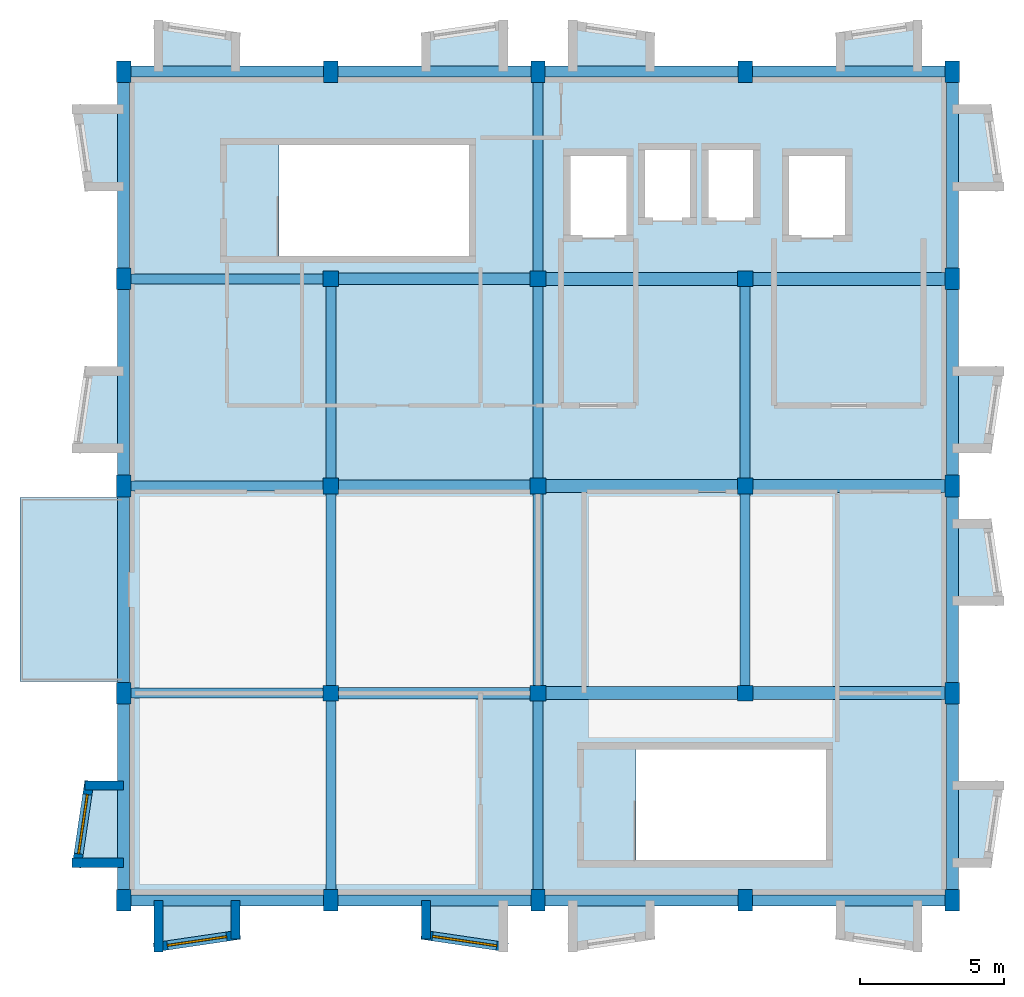
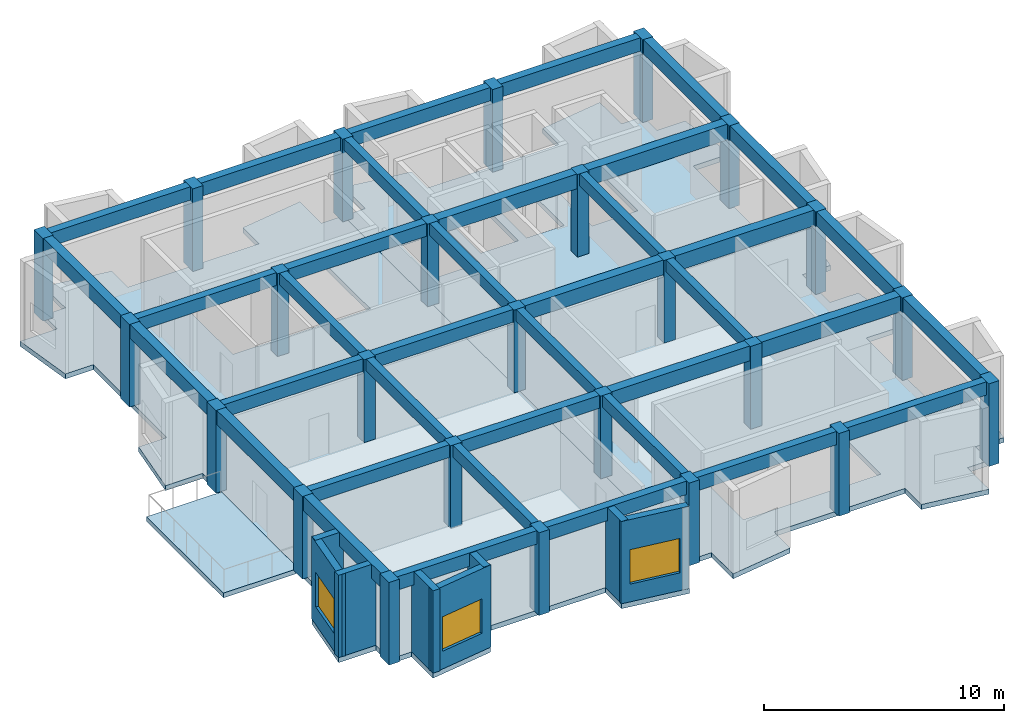
# One storey, part 1 of 5: 37 beams, 25 columns, 8 walls, 3 slabs, 3 windows, 3 openings.
"""IFC4 building model written with IfcOpenShell, lengths in metres."""

from ifc_helpers import new_model, si_unit, direction, frame, frame_2d, origin, origin_2d, place, context, subcontext, project, spatial, polyline, rectangle, outline, extrude, material, layer, layer_set, material_profile, profile_set, type_object, element, fill, save


model = new_model("IFC4")

# Units and contexts
model_context = context("Model", 3, precision=1e-05, world=origin(), true_north=direction((0.0, 1.0)))
body_context = subcontext(model_context, "Body", "Model", "MODEL_VIEW")
ifc_project = project(units=[si_unit("LENGTHUNIT", "METRE"), si_unit("AREAUNIT", "SQUARE_METRE"), si_unit("VOLUMEUNIT", "CUBIC_METRE"), si_unit("PLANEANGLEUNIT", "RADIAN"), si_unit("MASSUNIT", "GRAM", prefix="KILO")], contexts=[model_context])

# Site, building, storey
site_placement = place(None, origin())
site = spatial("IfcSite", under=ifc_project, at=site_placement, CompositionType="ELEMENT")
building_placement = place(site_placement, origin())
building = spatial("IfcBuilding", under=site, at=building_placement, Name="Bramveld Media Centre", CompositionType="ELEMENT")
storey_placement = place(building_placement, frame((0.0, 0.0, 29.699951171875)))
storey = spatial("IfcBuildingStorey", under=building, at=storey_placement, Name="L07", CompositionType="ELEMENT", Elevation=29.699951171875)

# Columns
ifc_material_1 = material(Name="Concrete C40/50", Category="concrete")
ifc_material_profile_1 = material_profile(ifc_material_1, rectangle(XDim=0.5, YDim=0.75, at=origin_2d()), Name="RC 500x750")
ifc_profile_set_1 = profile_set([ifc_material_profile_1], Name="Concrete C40/50")
column_type_1 = type_object("IfcColumnType", Name="COL-EXT-RC-500x750", PredefinedType="COLUMN", material=ifc_profile_set_1)
for number, where, z_axis, x_axis, name in (
    (1, (131.199951171875, 83.199951171875, 0.0), (0.0, 0.0, 1.0), (1.0, 0.0, 0.0), "V7 L07 column RC 500x750"),
    (2, (131.199951171875, 90.39990234375, 0.0), (0.0, 0.0, 1.0), (1.0, 0.0, 0.0), "V7 L07 column RC 500x750"),
    (3, (131.199951171875, 97.60009765625, 0.0), (0.0, 0.0, 1.0), (1.0, 0.0, 0.0), "V7 L07 column RC 500x750"),
    (4, (131.199951171875, 104.800048828125, 0.0), (0.0, 0.0, 1.0), (1.0, 0.0, 0.0), "V7 L07 column RC 500x750"),
    (5, (131.199951171875, 112.0, 0.0), (0.0, 0.0, 1.0), (1.0, 0.0, 0.0), "V7 L07 column RC 500x750"),
    (6, (138.39990234375, 83.199951171875, 0.0), (0.0, 0.0, 1.0), (1.0, 0.0, 0.0), "V7 L07 column RC 500x750"),
    (7, (138.39990234375, 112.0, 0.0), (0.0, 0.0, 1.0), (1.0, 0.0, 0.0), "V7 L07 column RC 500x750"),
    (8, (145.60009765625, 83.199951171875, 0.0), (0.0, 0.0, 1.0), (1.0, 0.0, 0.0), "V7 L07 column RC 500x750"),
    (9, (145.60009765625, 112.0, 0.0), (0.0, 0.0, 1.0), (1.0, 0.0, 0.0), "V7 L07 column RC 500x750"),
    (10, (152.800048828125, 83.199951171875, 0.0), (0.0, 0.0, 1.0), (1.0, 0.0, 0.0), "V7 L07 column RC 500x750"),
    (11, (152.800048828125, 112.0, 0.0), (0.0, 0.0, 1.0), (1.0, 0.0, 0.0), "V7 L07 column RC 500x750"),
    (12, (160.0, 83.199951171875, 0.0), (0.0, 0.0, 1.0), (1.0, 0.0, 0.0), "V7 L07 column RC 500x750"),
    (13, (160.0, 90.39990234375, 0.0), (0.0, 0.0, 1.0), (1.0, 0.0, 0.0), "V7 L07 column RC 500x750"),
    (14, (160.0, 97.60009765625, 0.0), (0.0, 0.0, 1.0), (1.0, 0.0, 0.0), "V7 L07 column RC 500x750"),
    (15, (160.0, 104.800048828125, 0.0), (0.0, 0.0, 1.0), (1.0, 0.0, 0.0), "V7 L07 column RC 500x750"),
    (16, (160.0, 112.0, 0.0), (0.0, 0.0, 1.0), (1.0, 0.0, 0.0), "V7 L07 column RC 500x750"),
):
    element("IfcColumn", number, at=place(storey_placement, frame(where, z_axis=z_axis, x_axis=x_axis)), inside=storey, type_object=column_type_1, Name=name, PredefinedType="COLUMN", context=body_context, shape_type="SweptSolid", body=[
        extrude(rectangle(XDim=0.5, YDim=0.75, at=origin_2d()), origin(), (0.0, 0.0, 1.0), 4.199951171875),
    ])
ifc_material_2 = material(Name="Concrete C40/50", Category="concrete")
ifc_material_profile_2 = material_profile(ifc_material_2, rectangle(XDim=0.550048828125, YDim=0.550048828125, at=origin_2d()), Name="RC 550x550")
ifc_profile_set_2 = profile_set([ifc_material_profile_2], Name="Concrete C40/50")
column_type_2 = type_object("IfcColumnType", Name="COL-INT-RC-550x550", PredefinedType="COLUMN", material=ifc_profile_set_2)
for number, where, z_axis, x_axis, name in (
    (17, (138.39990234375, 90.39990234375, 0.0), (0.0, 0.0, 1.0), (1.0, 0.0, 0.0), "V7 L07 column RC 550x550"),
    (18, (138.39990234375, 97.60009765625, 0.0), (0.0, 0.0, 1.0), (1.0, 0.0, 0.0), "V7 L07 column RC 550x550"),
    (19, (138.39990234375, 104.800048828125, 0.0), (0.0, 0.0, 1.0), (1.0, 0.0, 0.0), "V7 L07 column RC 550x550"),
    (20, (145.60009765625, 90.39990234375, 0.0), (0.0, 0.0, 1.0), (1.0, 0.0, 0.0), "V7 L07 column RC 550x550"),
    (21, (145.60009765625, 97.60009765625, 0.0), (0.0, 0.0, 1.0), (1.0, 0.0, 0.0), "V7 L07 column RC 550x550"),
    (22, (145.60009765625, 104.800048828125, 0.0), (0.0, 0.0, 1.0), (1.0, 0.0, 0.0), "V7 L07 column RC 550x550"),
    (23, (152.800048828125, 90.39990234375, 0.0), (0.0, 0.0, 1.0), (1.0, 0.0, 0.0), "V7 L07 column RC 550x550"),
    (24, (152.800048828125, 97.60009765625, 0.0), (0.0, 0.0, 1.0), (1.0, 0.0, 0.0), "V7 L07 column RC 550x550"),
    (25, (152.800048828125, 104.800048828125, 0.0), (0.0, 0.0, 1.0), (1.0, 0.0, 0.0), "V7 L07 column RC 550x550"),
):
    element("IfcColumn", number, at=place(storey_placement, frame(where, z_axis=z_axis, x_axis=x_axis)), inside=storey, type_object=column_type_2, Name=name, PredefinedType="COLUMN", context=body_context, shape_type="SweptSolid", body=[
        extrude(rectangle(XDim=0.550048828125, YDim=0.550048828125, at=origin_2d()), origin(), (0.0, 0.0, 1.0), 4.199951171875),
    ])

# Beams
ifc_material_3 = material(Name="Concrete C40/50", Category="concrete")
ifc_material_profile_3 = material_profile(ifc_material_3, rectangle(XDim=0.35009765625, YDim=0.60009765625, at=origin_2d()), Name="RC 350x600")
ifc_profile_set_3 = profile_set([ifc_material_profile_3], Name="Concrete C40/50")
beam_type_1 = type_object("IfcBeamType", Name="BM-INT-RC-350x600", PredefinedType="BEAM", material=ifc_profile_set_3)
beam_1_placement = place(storey_placement, frame((138.39990234375, 83.574951171875, 3.900146484375), z_axis=(0.0, 1.0, 0.0), x_axis=(-1.0, 0.0, 0.0)))
element("IfcBeam", 26, at=beam_1_placement, inside=storey, type_object=beam_type_1, Name="V7 L07 girder Y-1602", PredefinedType="BEAM", context=body_context, shape_type="SweptSolid", body=[
    extrude(rectangle(XDim=0.35009765625, YDim=0.60009765625, at=origin_2d()), origin(), (0.0, 0.0, 1.0), 6.550048828125),
])
for number, where, z_axis, x_axis, name in (
    (27, (138.39990234375, 90.675048828125, 3.900146484375), (0.0, 1.0, 0.0), (-1.0, 0.0, 0.0), "V7 L07 girder Y-1603"),
    (28, (138.39990234375, 97.875, 3.900146484375), (0.0, 1.0, 0.0), (-1.0, 0.0, 0.0), "V7 L07 girder Y-1604"),
):
    element("IfcBeam", number, at=place(storey_placement, frame(where, z_axis=z_axis, x_axis=x_axis)), inside=storey, type_object=beam_type_1, Name=name, PredefinedType="BEAM", context=body_context, shape_type="SweptSolid", body=[
        extrude(rectangle(XDim=0.35009765625, YDim=0.60009765625, at=origin_2d()), origin(), (0.0, 0.0, 1.0), 6.64990234375),
    ])
beam_2_placement = place(storey_placement, frame((145.60009765625, 83.574951171875, 3.900146484375), z_axis=(0.0, 1.0, 0.0), x_axis=(-1.0, 0.0, 0.0)))
element("IfcBeam", 29, at=beam_2_placement, inside=storey, type_object=beam_type_1, Name="V7 L07 girder Y-1605", PredefinedType="BEAM", context=body_context, shape_type="SweptSolid", body=[
    extrude(rectangle(XDim=0.35009765625, YDim=0.60009765625, at=origin_2d()), origin(), (0.0, 0.0, 1.0), 6.550048828125),
])
for number, where, z_axis, x_axis, name in (
    (30, (145.60009765625, 90.675048828125, 3.900146484375), (0.0, 1.0, 0.0), (-1.0, 0.0, 0.0), "V7 L07 girder Y-1606"),
    (31, (145.60009765625, 97.875, 3.900146484375), (0.0, 1.0, 0.0), (-1.0, 0.0, 0.0), "V7 L07 girder Y-1607"),
):
    element("IfcBeam", number, at=place(storey_placement, frame(where, z_axis=z_axis, x_axis=x_axis)), inside=storey, type_object=beam_type_1, Name=name, PredefinedType="BEAM", context=body_context, shape_type="SweptSolid", body=[
        extrude(rectangle(XDim=0.35009765625, YDim=0.60009765625, at=origin_2d()), origin(), (0.0, 0.0, 1.0), 6.64990234375),
    ])
beam_3_placement = place(storey_placement, frame((145.60009765625, 105.074951171875, 3.900146484375), z_axis=(0.0, 1.0, 0.0), x_axis=(-1.0, 0.0, 0.0)))
element("IfcBeam", 32, at=beam_3_placement, inside=storey, type_object=beam_type_1, Name="V7 L07 girder Y-1608", PredefinedType="BEAM", context=body_context, shape_type="SweptSolid", body=[
    extrude(rectangle(XDim=0.35009765625, YDim=0.60009765625, at=origin_2d()), origin(), (0.0, 0.0, 1.0), 6.550048828125),
])
for number, where, z_axis, x_axis, name in (
    (33, (152.800048828125, 90.675048828125, 3.900146484375), (0.0, 1.0, 0.0), (-1.0, 0.0, 0.0), "V7 L07 girder Y-1609"),
    (34, (152.800048828125, 97.875, 3.900146484375), (0.0, 1.0, 0.0), (-1.0, 0.0, 0.0), "V7 L07 girder Y-1610"),
):
    element("IfcBeam", number, at=place(storey_placement, frame(where, z_axis=z_axis, x_axis=x_axis)), inside=storey, type_object=beam_type_1, Name=name, PredefinedType="BEAM", context=body_context, shape_type="SweptSolid", body=[
        extrude(rectangle(XDim=0.35009765625, YDim=0.60009765625, at=origin_2d()), origin(), (0.0, 0.0, 1.0), 6.64990234375),
    ])
ifc_material_4 = material(Name="Concrete C40/50", Category="concrete")
ifc_material_profile_4 = material_profile(ifc_material_4, rectangle(XDim=0.35009765625, YDim=0.64990234375, at=origin_2d()), Name="RC 350x650")
ifc_profile_set_4 = profile_set([ifc_material_profile_4], Name="Concrete C40/50")
beam_type_2 = type_object("IfcBeamType", Name="BM-INT-RC-350x650", PredefinedType="BEAM", material=ifc_profile_set_4)
for number, where, z_axis, x_axis, name in (
    (35, (131.449951171875, 90.39990234375, 3.875), (1.0, 0.0, 0.0), (0.0, 1.0, 0.0), "V7 L07 girder X-1582"),
    (36, (131.449951171875, 97.60009765625, 3.875), (1.0, 0.0, 0.0), (0.0, 1.0, 0.0), "V7 L07 girder X-1586"),
    (37, (131.449951171875, 104.800048828125, 3.875), (1.0, 0.0, 0.0), (0.0, 1.0, 0.0), "V7 L07 girder X-1590"),
):
    element("IfcBeam", number, at=place(storey_placement, frame(where, z_axis=z_axis, x_axis=x_axis)), inside=storey, type_object=beam_type_2, Name=name, PredefinedType="BEAM", context=body_context, shape_type="SweptSolid", body=[
        extrude(rectangle(XDim=0.35009765625, YDim=0.64990234375, at=origin_2d()), origin(), (0.0, 0.0, 1.0), 6.675048828125),
    ])
ifc_material_5 = material(Name="Concrete C40/50", Category="concrete")
ifc_material_profile_5 = material_profile(ifc_material_5, rectangle(XDim=0.39990234375, YDim=0.64990234375, at=origin_2d()), Name="RC 400x650")
ifc_profile_set_5 = profile_set([ifc_material_profile_5], Name="Concrete C40/50")
beam_type_3 = type_object("IfcBeamType", Name="BM-INT-RC-400x650", PredefinedType="BEAM", material=ifc_profile_set_5)
for number, where, z_axis, x_axis, name in (
    (38, (138.675048828125, 90.39990234375, 3.875), (1.0, 0.0, 0.0), (0.0, 1.0, 0.0), "V7 L07 girder X-1583"),
    (39, (138.675048828125, 97.60009765625, 3.875), (1.0, 0.0, 0.0), (0.0, 1.0, 0.0), "V7 L07 girder X-1587"),
    (40, (138.675048828125, 104.800048828125, 3.875), (1.0, 0.0, 0.0), (0.0, 1.0, 0.0), "V7 L07 girder X-1591"),
):
    element("IfcBeam", number, at=place(storey_placement, frame(where, z_axis=z_axis, x_axis=x_axis)), inside=storey, type_object=beam_type_3, Name=name, PredefinedType="BEAM", context=body_context, shape_type="SweptSolid", body=[
        extrude(rectangle(XDim=0.39990234375, YDim=0.64990234375, at=origin_2d()), origin(), (0.0, 0.0, 1.0), 6.64990234375),
    ])
ifc_material_6 = material(Name="Concrete C40/50", Category="concrete")
ifc_material_profile_6 = material_profile(ifc_material_6, rectangle(XDim=0.449951171875, YDim=0.75, at=origin_2d()), Name="RC 450x750")
ifc_profile_set_6 = profile_set([ifc_material_profile_6], Name="Concrete C40/50")
beam_type_4 = type_object("IfcBeamType", Name="BM-INT-RC-450x750", PredefinedType="BEAM", material=ifc_profile_set_6)
for number, where, z_axis, x_axis, name in (
    (41, (145.875, 90.39990234375, 3.824951171875), (1.0, 0.0, 0.0), (0.0, 1.0, 0.0), "V7 L07 girder X-1584"),
    (42, (145.875, 97.60009765625, 3.824951171875), (1.0, 0.0, 0.0), (0.0, 1.0, 0.0), "V7 L07 girder X-1588"),
    (43, (145.875, 104.800048828125, 3.824951171875), (1.0, 0.0, 0.0), (0.0, 1.0, 0.0), "V7 L07 girder X-1592"),
):
    element("IfcBeam", number, at=place(storey_placement, frame(where, z_axis=z_axis, x_axis=x_axis)), inside=storey, type_object=beam_type_4, Name=name, PredefinedType="BEAM", context=body_context, shape_type="SweptSolid", body=[
        extrude(rectangle(XDim=0.449951171875, YDim=0.75, at=origin_2d()), origin(), (0.0, 0.0, 1.0), 6.64990234375),
    ])
ifc_material_7 = material(Name="Concrete C40/50", Category="concrete")
ifc_material_profile_7 = material_profile(ifc_material_7, rectangle(XDim=0.449951171875, YDim=0.800048828125, at=origin_2d()), Name="RC 450x800")
ifc_profile_set_7 = profile_set([ifc_material_profile_7], Name="Concrete C40/50")
beam_type_5 = type_object("IfcBeamType", Name="BM-INT-RC-450x800", PredefinedType="BEAM", material=ifc_profile_set_7)
for number, where, z_axis, x_axis, name in (
    (44, (153.074951171875, 90.39990234375, 3.800048828125), (1.0, 0.0, 0.0), (0.0, 1.0, 0.0), "V7 L07 girder X-1585"),
    (45, (153.074951171875, 97.60009765625, 3.800048828125), (1.0, 0.0, 0.0), (0.0, 1.0, 0.0), "V7 L07 girder X-1589"),
    (46, (153.074951171875, 104.800048828125, 3.800048828125), (1.0, 0.0, 0.0), (0.0, 1.0, 0.0), "V7 L07 girder X-1593"),
):
    element("IfcBeam", number, at=place(storey_placement, frame(where, z_axis=z_axis, x_axis=x_axis)), inside=storey, type_object=beam_type_5, Name=name, PredefinedType="BEAM", context=body_context, shape_type="SweptSolid", body=[
        extrude(rectangle(XDim=0.449951171875, YDim=0.800048828125, at=origin_2d()), origin(), (0.0, 0.0, 1.0), 6.675048828125),
    ])
ifc_material_8 = material(Name="Concrete C40/50", Category="concrete")
ifc_material_profile_8 = material_profile(ifc_material_8, rectangle(XDim=0.3798828125, YDim=0.679931640625, at=origin_2d()), Name="RC 380x680")
ifc_profile_set_8 = profile_set([ifc_material_profile_8], Name="Concrete C40/50")
beam_type_6 = type_object("IfcBeamType", Name="SPANDREL-EXT-RC-380x680", PredefinedType="SPANDREL", material=ifc_profile_set_8)
beam_4_placement = place(storey_placement, frame((131.449951171875, 83.199951171875, 3.860107421875), z_axis=(1.0, 0.0, 0.0), x_axis=(0.0, 1.0, 0.0)))
element("IfcBeam", 47, at=beam_4_placement, inside=storey, type_object=beam_type_6, Name="V7 L07 girder X-1578", PredefinedType="SPANDREL", context=body_context, shape_type="SweptSolid", body=[
    extrude(rectangle(XDim=0.3798828125, YDim=0.679931640625, at=origin_2d()), origin(), (0.0, 0.0, 1.0), 6.699951171875),
])
beam_5_placement = place(storey_placement, frame((138.64990234375, 83.199951171875, 3.860107421875), z_axis=(1.0, 0.0, 0.0), x_axis=(0.0, 1.0, 0.0)))
element("IfcBeam", 48, at=beam_5_placement, inside=storey, type_object=beam_type_6, Name="V7 L07 girder X-1579", PredefinedType="SPANDREL", context=body_context, shape_type="SweptSolid", body=[
    extrude(rectangle(XDim=0.3798828125, YDim=0.679931640625, at=origin_2d()), origin(), (0.0, 0.0, 1.0), 6.7001953125),
])
for number, where, z_axis, x_axis, name in (
    (49, (145.85009765625, 83.199951171875, 3.860107421875), (1.0, 0.0, 0.0), (0.0, 1.0, 0.0), "V7 L07 girder X-1580"),
    (50, (153.050048828125, 83.199951171875, 3.860107421875), (1.0, 0.0, 0.0), (0.0, 1.0, 0.0), "V7 L07 girder X-1581"),
    (51, (131.449951171875, 112.0, 3.860107421875), (1.0, 0.0, 0.0), (0.0, 1.0, 0.0), "V7 L07 girder X-1594"),
):
    element("IfcBeam", number, at=place(storey_placement, frame(where, z_axis=z_axis, x_axis=x_axis)), inside=storey, type_object=beam_type_6, Name=name, PredefinedType="SPANDREL", context=body_context, shape_type="SweptSolid", body=[
        extrude(rectangle(XDim=0.3798828125, YDim=0.679931640625, at=origin_2d()), origin(), (0.0, 0.0, 1.0), 6.699951171875),
    ])
beam_6_placement = place(storey_placement, frame((138.64990234375, 112.0, 3.860107421875), z_axis=(1.0, 0.0, 0.0), x_axis=(0.0, 1.0, 0.0)))
element("IfcBeam", 52, at=beam_6_placement, inside=storey, type_object=beam_type_6, Name="V7 L07 girder X-1595", PredefinedType="SPANDREL", context=body_context, shape_type="SweptSolid", body=[
    extrude(rectangle(XDim=0.3798828125, YDim=0.679931640625, at=origin_2d()), origin(), (0.0, 0.0, 1.0), 6.7001953125),
])
for number, where, z_axis, x_axis, name in (
    (53, (145.85009765625, 112.0, 3.860107421875), (1.0, 0.0, 0.0), (0.0, 1.0, 0.0), "V7 L07 girder X-1596"),
    (54, (153.050048828125, 112.0, 3.860107421875), (1.0, 0.0, 0.0), (0.0, 1.0, 0.0), "V7 L07 girder X-1597"),
):
    element("IfcBeam", number, at=place(storey_placement, frame(where, z_axis=z_axis, x_axis=x_axis)), inside=storey, type_object=beam_type_6, Name=name, PredefinedType="SPANDREL", context=body_context, shape_type="SweptSolid", body=[
        extrude(rectangle(XDim=0.3798828125, YDim=0.679931640625, at=origin_2d()), origin(), (0.0, 0.0, 1.0), 6.699951171875),
    ])
ifc_material_9 = material(Name="Concrete C40/50", Category="concrete")
ifc_material_profile_9 = material_profile(ifc_material_9, rectangle(XDim=0.419921875, YDim=0.719970703125, at=origin_2d()), Name="RC 420x720")
ifc_profile_set_9 = profile_set([ifc_material_profile_9], Name="Concrete C40/50")
beam_type_7 = type_object("IfcBeamType", Name="SPANDREL-EXT-RC-420x720", PredefinedType="SPANDREL", material=ifc_profile_set_9)
beam_7_placement = place(storey_placement, frame((131.199951171875, 83.574951171875, 3.840087890625), z_axis=(0.0, 1.0, 0.0), x_axis=(-1.0, 0.0, 0.0)))
element("IfcBeam", 55, at=beam_7_placement, inside=storey, type_object=beam_type_7, Name="V7 L07 girder Y-1598", PredefinedType="SPANDREL", context=body_context, shape_type="SweptSolid", body=[
    extrude(rectangle(XDim=0.419921875, YDim=0.719970703125, at=origin_2d()), origin(), (0.0, 0.0, 1.0), 6.449951171875),
])
beam_8_placement = place(storey_placement, frame((131.199951171875, 90.77490234375, 3.840087890625), z_axis=(0.0, 1.0, 0.0), x_axis=(-1.0, 0.0, 0.0)))
element("IfcBeam", 56, at=beam_8_placement, inside=storey, type_object=beam_type_7, Name="V7 L07 girder Y-1599", PredefinedType="SPANDREL", context=body_context, shape_type="SweptSolid", body=[
    extrude(rectangle(XDim=0.419921875, YDim=0.719970703125, at=origin_2d()), origin(), (0.0, 0.0, 1.0), 6.4501953125),
])
for number, where, z_axis, x_axis, name in (
    (57, (131.199951171875, 97.97509765625, 3.840087890625), (0.0, 1.0, 0.0), (-1.0, 0.0, 0.0), "V7 L07 girder Y-1600"),
    (58, (131.199951171875, 105.175048828125, 3.840087890625), (0.0, 1.0, 0.0), (-1.0, 0.0, 0.0), "V7 L07 girder Y-1601"),
    (59, (160.0, 83.574951171875, 3.840087890625), (0.0, 1.0, 0.0), (-1.0, 0.0, 0.0), "V7 L07 girder Y-1611"),
):
    element("IfcBeam", number, at=place(storey_placement, frame(where, z_axis=z_axis, x_axis=x_axis)), inside=storey, type_object=beam_type_7, Name=name, PredefinedType="SPANDREL", context=body_context, shape_type="SweptSolid", body=[
        extrude(rectangle(XDim=0.419921875, YDim=0.719970703125, at=origin_2d()), origin(), (0.0, 0.0, 1.0), 6.449951171875),
    ])
beam_9_placement = place(storey_placement, frame((160.0, 90.77490234375, 3.840087890625), z_axis=(0.0, 1.0, 0.0), x_axis=(-1.0, 0.0, 0.0)))
element("IfcBeam", 60, at=beam_9_placement, inside=storey, type_object=beam_type_7, Name="V7 L07 girder Y-1612", PredefinedType="SPANDREL", context=body_context, shape_type="SweptSolid", body=[
    extrude(rectangle(XDim=0.419921875, YDim=0.719970703125, at=origin_2d()), origin(), (0.0, 0.0, 1.0), 6.4501953125),
])
for number, where, z_axis, x_axis, name in (
    (61, (160.0, 97.97509765625, 3.840087890625), (0.0, 1.0, 0.0), (-1.0, 0.0, 0.0), "V7 L07 girder Y-1613"),
    (62, (160.0, 105.175048828125, 3.840087890625), (0.0, 1.0, 0.0), (-1.0, 0.0, 0.0), "V7 L07 girder Y-1614"),
):
    element("IfcBeam", number, at=place(storey_placement, frame(where, z_axis=z_axis, x_axis=x_axis)), inside=storey, type_object=beam_type_7, Name=name, PredefinedType="SPANDREL", context=body_context, shape_type="SweptSolid", body=[
        extrude(rectangle(XDim=0.419921875, YDim=0.719970703125, at=origin_2d()), origin(), (0.0, 0.0, 1.0), 6.449951171875),
    ])

# Slabs
ifc_material_10 = material(Name="Precast concrete C40/50", Category="concrete")
ifc_layer_1 = layer(ifc_material_10, 0.239990234375)
ifc_layer_set_1 = layer_set([ifc_layer_1], Name="Precast concrete C40/50")
slab_type_1 = type_object("IfcSlabType", Name="SLAB-FLOOR-EXT-240", PredefinedType="FLOOR", material=ifc_layer_set_1)
slab_1_placement = place(storey_placement, frame((0.0, 0.0, -0.239990234375)))
element("IfcSlab", 63, at=slab_1_placement, inside=storey, type_object=slab_type_1, Name="Press Panorama Balcony L07", PredefinedType="FLOOR", context=body_context, shape_type="SweptSolid", body=[
    extrude(outline(polyline([(127.60009765625, 90.800048828125), (131.199951171875, 90.800048828125), (131.199951171875, 97.199951171875), (127.60009765625, 97.199951171875), (127.60009765625, 90.800048828125)])), origin(), (0.0, 0.0, 1.0), 0.239990234375),
])
ifc_material_11 = material(Name="Concrete C40/50", Category="concrete")
ifc_layer_2 = layer(ifc_material_11, 0.25)
ifc_layer_set_2 = layer_set([ifc_layer_2], Name="Concrete C40/50")
slab_type_2 = type_object("IfcSlabType", Name="SLAB-FLOOR-INT-250", PredefinedType="FLOOR", material=ifc_layer_set_2)
slab_2_placement = place(storey_placement, frame((0.0, 0.0, -0.25)))
element("IfcSlab", 64, at=slab_2_placement, inside=storey, type_object=slab_type_2, Name="V7 L07 structural slab 1", PredefinedType="FLOOR", context=body_context, shape_type="SweptSolid", body=[
    extrude(outline(polyline([(131.199951171875, 84.35009765625), (129.406982421875, 84.35009765625), (129.85009765625, 87.35009765625), (131.199951171875, 87.35009765625), (131.199951171875, 98.75), (129.406982421875, 98.75), (129.85009765625, 101.75), (131.199951171875, 101.75), (131.199951171875, 107.85009765625), (129.85009765625, 107.85009765625), (129.406982421875, 110.85009765625), (131.199951171875, 110.85009765625), (131.199951171875, 112.0), (132.25, 112.0), (132.25, 113.79296875), (135.25, 113.35009765625), (135.25, 112.0), (141.550048828125, 112.0), (141.550048828125, 113.35009765625), (144.550048828125, 113.79296875), (144.550048828125, 112.0), (145.60009765625, 112.0), (145.60009765625, 83.199951171875), (144.550048828125, 83.199951171875), (144.550048828125, 81.406982421875), (141.550048828125, 81.85009765625), (141.550048828125, 83.199951171875), (135.25, 83.199951171875), (135.25, 81.85009765625), (132.25, 81.406982421875), (132.25, 83.199951171875), (131.199951171875, 83.199951171875), (131.199951171875, 84.35009765625)]), holes=[polyline([(143.199951171875, 109.449951171875), (136.60009765625, 109.449951171875), (136.60009765625, 105.60009765625), (143.199951171875, 105.60009765625), (143.199951171875, 109.449951171875)])]), origin(), (0.0, 0.0, 1.0), 0.25),
])
slab_3_placement = place(storey_placement, frame((0.0, 0.0, -0.25)))
element("IfcSlab", 65, at=slab_3_placement, inside=storey, type_object=slab_type_2, Name="V7 L07 structural slab 2", PredefinedType="FLOOR", context=body_context, shape_type="SweptSolid", body=[
    extrude(outline(polyline([(146.64990234375, 113.79296875), (149.64990234375, 113.35009765625), (149.64990234375, 112.0), (155.949951171875, 112.0), (155.949951171875, 113.35009765625), (158.949951171875, 113.79296875), (158.949951171875, 112.0), (160.0, 112.0), (160.0, 110.85009765625), (161.35009765625, 110.85009765625), (161.79296875, 107.85009765625), (160.0, 107.85009765625), (160.0, 101.75), (161.79296875, 101.75), (161.35009765625, 98.75), (160.0, 98.75), (160.0, 96.449951171875), (161.35009765625, 96.449951171875), (161.79296875, 93.449951171875), (160.0, 93.449951171875), (160.0, 87.35009765625), (161.79296875, 87.35009765625), (161.35009765625, 84.35009765625), (160.0, 84.35009765625), (160.0, 83.199951171875), (158.949951171875, 83.199951171875), (158.949951171875, 81.406982421875), (155.949951171875, 81.85009765625), (155.949951171875, 83.199951171875), (149.64990234375, 83.199951171875), (149.64990234375, 81.85009765625), (146.64990234375, 81.406982421875), (146.64990234375, 83.199951171875), (145.60009765625, 83.199951171875), (145.60009765625, 112.0), (146.64990234375, 112.0), (146.64990234375, 113.79296875)]), holes=[polyline([(149.0, 88.449951171875), (149.0, 84.60009765625), (155.60009765625, 84.60009765625), (155.60009765625, 88.449951171875), (149.0, 88.449951171875)]), polyline([(146.60009765625, 109.199951171875), (146.60009765625, 106.199951171875), (148.800048828125, 106.199951171875), (148.800048828125, 109.199951171875), (146.60009765625, 109.199951171875)]), polyline([(154.199951171875, 106.199951171875), (156.39990234375, 106.199951171875), (156.39990234375, 109.199951171875), (154.199951171875, 109.199951171875), (154.199951171875, 106.199951171875)]), polyline([(149.199951171875, 109.39990234375), (149.199951171875, 106.800048828125), (151.0, 106.800048828125), (151.0, 109.39990234375), (149.199951171875, 109.39990234375)]), polyline([(151.39990234375, 109.39990234375), (151.39990234375, 106.800048828125), (153.199951171875, 106.800048828125), (153.199951171875, 109.39990234375), (151.39990234375, 109.39990234375)])]), origin(), (0.0, 0.0, 1.0), 0.25),
])

# Wall, opening, window
ifc_material_12 = material(Name="Precast concrete C40/50 & brick-slip faceted bay cheek wall", Category="masonry")
ifc_layer_3 = layer(ifc_material_12, 0.320068359375)
ifc_layer_set_3 = layer_set([ifc_layer_3], Name="Precast concrete C40/50 & brick-slip faceted bay cheek wall")
wall_type = type_object("IfcWallType", Name="EW-FACET-320", PredefinedType="SOLIDWALL", material=ifc_layer_set_3)
wall_1_placement = place(storey_placement, frame((132.25, 81.56689453125, 0.0), z_axis=(0.0, 0.0, 1.0), x_axis=(0.989266910268, 0.146119746268, 0.0)))
wall_1 = element("IfcWall", 66, at=wall_1_placement, inside=storey, type_object=wall_type, Name="V7 L07 S angled faceted bay front wall 1", PredefinedType="SOLIDWALL", context=body_context, shape_type="SweptSolid", body=[
    extrude(rectangle(XDim=3.032470703125, YDim=0.320068359375, at=frame_2d((1.51611328125, 0.0))), origin(), (0.0, 0.0, 1.0), 4.179931640625),
])
opening_1_placement = place(wall_1_placement, frame((0.476318359375, 0.0, 0.89990234375)))
opening_1 = element("IfcOpeningElement", 67, at=opening_1_placement, cuts=wall_1, Name="Opening W-35", PredefinedType="OPENING", context=body_context, shape_type="SweptSolid", body=[
    extrude(rectangle(XDim=2.080078125, YDim=1.75, at=frame_2d((1.0400390625, 0.875))), frame((0.0, 0.171875, 0.0), z_axis=(0.0, -1.0, 0.0), x_axis=(1.0, 0.0, 0.0)), (0.0, 0.0, 1.0), 0.343994140625),
])
ifc_material_13 = material(Name="Thermally broken anodized bronze aluminium frame with triple acoustic glazing", Category="aluminium")
window_type_1 = type_object("IfcWindowType", Name="WIN-FAC-35", PartitioningType="SINGLE_PANEL", PredefinedType="WINDOW", material=ifc_material_13)
window_1_placement = place(opening_1_placement, origin())
window_1 = element("IfcWindow", 68, at=window_1_placement, inside=storey, type_object=window_type_1, Name="V7 L07 S faceted bay window 1", OverallHeight=1.75, OverallWidth=2.080078125, PartitioningType="SINGLE_PANEL", PredefinedType="WINDOW", context=body_context, shape_type="SweptSolid", body=[
    extrude(rectangle(XDim=2.080078125, YDim=1.75, at=frame_2d((1.0400390625, 0.875))), frame((0.0, 0.030029296875, 0.0), z_axis=(0.0, -1.0, 0.0), x_axis=(1.0, 0.0, 0.0)), (0.0, 0.0, 1.0), 0.06005859375),
])
fill(opening_1, window_1)

# Walls
wall_2_placement = place(storey_placement, frame((132.409912109375, 83.199951171875, 0.0), z_axis=(0.0, 0.0, 1.0), x_axis=(0.0, -1.0, 0.0)))
element("IfcWall", 69, at=wall_2_placement, inside=storey, type_object=wall_type, Name="V7 L07 S faceted bay cheek wall", PredefinedType="SOLIDWALL", context=body_context, shape_type="SweptSolid", body=[
    extrude(rectangle(XDim=1.79296875, YDim=0.320068359375, at=frame_2d((0.896484375, 0.0))), origin(), (0.0, 0.0, 1.0), 4.179931640625),
])
wall_3_placement = place(storey_placement, frame((135.090087890625, 83.199951171875, 0.0), z_axis=(0.0, 0.0, 1.0), x_axis=(0.0, -1.0, 0.0)))
element("IfcWall", 70, at=wall_3_placement, inside=storey, type_object=wall_type, Name="V7 L07 S faceted bay cheek wall", PredefinedType="SOLIDWALL", context=body_context, shape_type="SweptSolid", body=[
    extrude(rectangle(XDim=1.349853515625, YDim=0.320068359375, at=frame_2d((0.6748046875, 0.0))), origin(), (0.0, 0.0, 1.0), 4.179931640625),
])

# Wall, opening, window
wall_4_placement = place(storey_placement, frame((141.550048828125, 82.010009765625, 0.0), z_axis=(0.0, 0.0, 1.0), x_axis=(0.989266910268, -0.146119746268, 0.0)))
wall_4 = element("IfcWall", 71, at=wall_4_placement, inside=storey, type_object=wall_type, Name="V7 L07 S angled faceted bay front wall 2", PredefinedType="SOLIDWALL", context=body_context, shape_type="SweptSolid", body=[
    extrude(rectangle(XDim=3.032470703125, YDim=0.320068359375, at=frame_2d((1.51611328125, 0.0))), origin(), (0.0, 0.0, 1.0), 4.179931640625),
])
opening_2_placement = place(wall_4_placement, frame((0.391357421875, 0.0, 0.89990234375)))
opening_2 = element("IfcOpeningElement", 72, at=opening_2_placement, cuts=wall_4, Name="Opening W-36", PredefinedType="OPENING", context=body_context, shape_type="SweptSolid", body=[
    extrude(rectangle(XDim=2.25, YDim=1.75, at=frame_2d((1.125, 0.875))), frame((0.0, 0.171875, 0.0), z_axis=(0.0, -1.0, 0.0), x_axis=(1.0, 0.0, 0.0)), (0.0, 0.0, 1.0), 0.343994140625),
])
ifc_material_14 = material(Name="Thermally broken anodized bronze aluminium frame with triple acoustic glazing", Category="aluminium")
window_type_2 = type_object("IfcWindowType", Name="WIN-FAC-36", PartitioningType="SINGLE_PANEL", PredefinedType="WINDOW", material=ifc_material_14)
window_2_placement = place(opening_2_placement, origin())
window_2 = element("IfcWindow", 73, at=window_2_placement, inside=storey, type_object=window_type_2, Name="V7 L07 S faceted bay window 2", OverallHeight=1.75, OverallWidth=2.25, PartitioningType="SINGLE_PANEL", PredefinedType="WINDOW", context=body_context, shape_type="SweptSolid", body=[
    extrude(rectangle(XDim=2.25, YDim=1.75, at=frame_2d((1.125, 0.875))), frame((0.0, 0.030029296875, 0.0), z_axis=(0.0, -1.0, 0.0), x_axis=(1.0, 0.0, 0.0)), (0.0, 0.0, 1.0), 0.06005859375),
])
fill(opening_2, window_2)

# Wall
wall_5_placement = place(storey_placement, frame((141.7099609375, 83.199951171875, 0.0), z_axis=(0.0, 0.0, 1.0), x_axis=(0.0, -1.0, 0.0)))
element("IfcWall", 74, at=wall_5_placement, inside=storey, type_object=wall_type, Name="V7 L07 S faceted bay cheek wall", PredefinedType="SOLIDWALL", context=body_context, shape_type="SweptSolid", body=[
    extrude(rectangle(XDim=1.349853515625, YDim=0.320068359375, at=frame_2d((0.6748046875, 0.0))), origin(), (0.0, 0.0, 1.0), 4.179931640625),
])

# Wall, opening, window
wall_6_placement = place(storey_placement, frame((130.010009765625, 87.35009765625, 0.0), z_axis=(0.0, 0.0, 1.0), x_axis=(-0.146119746268, -0.989266910268, 0.0)))
wall_6 = element("IfcWall", 75, at=wall_6_placement, inside=storey, type_object=wall_type, Name="V7 L07 W angled faceted bay front wall 1", PredefinedType="SOLIDWALL", context=body_context, shape_type="SweptSolid", body=[
    extrude(rectangle(XDim=3.032470703125, YDim=0.320068359375, at=frame_2d((1.51611328125, 0.0))), origin(), (0.0, 0.0, 1.0), 4.179931640625),
])
opening_3_placement = place(wall_6_placement, frame((0.476318359375, 0.0, 0.89990234375)))
opening_3 = element("IfcOpeningElement", 76, at=opening_3_placement, cuts=wall_6, Name="Opening W-35", PredefinedType="OPENING", context=body_context, shape_type="SweptSolid", body=[
    extrude(rectangle(XDim=2.080078125, YDim=1.75, at=frame_2d((1.0400390625, 0.875))), frame((0.0, 0.171875, 0.0), z_axis=(0.0, -1.0, 0.0), x_axis=(1.0, 0.0, 0.0)), (0.0, 0.0, 1.0), 0.343994140625),
])
window_3_placement = place(opening_3_placement, origin())
window_3 = element("IfcWindow", 77, at=window_3_placement, inside=storey, type_object=window_type_1, Name="V7 L07 W faceted bay window 1", OverallHeight=1.75, OverallWidth=2.080078125, PartitioningType="SINGLE_PANEL", PredefinedType="WINDOW", context=body_context, shape_type="SweptSolid", body=[
    extrude(rectangle(XDim=2.080078125, YDim=1.75, at=frame_2d((1.0400390625, 0.875))), frame((0.0, 0.030029296875, 0.0), z_axis=(0.0, -1.0, 0.0), x_axis=(1.0, 0.0, 0.0)), (0.0, 0.0, 1.0), 0.06005859375),
])
fill(opening_3, window_3)

# Walls
wall_7_placement = place(storey_placement, frame((131.199951171875, 84.510009765625, 0.0), z_axis=(0.0, 0.0, 1.0), x_axis=(-1.0, 0.0, 0.0)))
element("IfcWall", 78, at=wall_7_placement, inside=storey, type_object=wall_type, Name="V7 L07 W faceted bay cheek wall", PredefinedType="SOLIDWALL", context=body_context, shape_type="SweptSolid", body=[
    extrude(rectangle(XDim=1.79296875, YDim=0.320068359375, at=frame_2d((0.896484375, 0.0))), origin(), (0.0, 0.0, 1.0), 4.179931640625),
])
wall_8_placement = place(storey_placement, frame((131.199951171875, 87.18994140625, 0.0), z_axis=(0.0, 0.0, 1.0), x_axis=(-1.0, 0.0, 0.0)))
element("IfcWall", 79, at=wall_8_placement, inside=storey, type_object=wall_type, Name="V7 L07 W faceted bay cheek wall", PredefinedType="SOLIDWALL", context=body_context, shape_type="SweptSolid", body=[
    extrude(rectangle(XDim=1.349853515625, YDim=0.320068359375, at=frame_2d((0.6748046875, 0.0))), origin(), (0.0, 0.0, 1.0), 4.179931640625),
])

save(model, "model.ifc")
